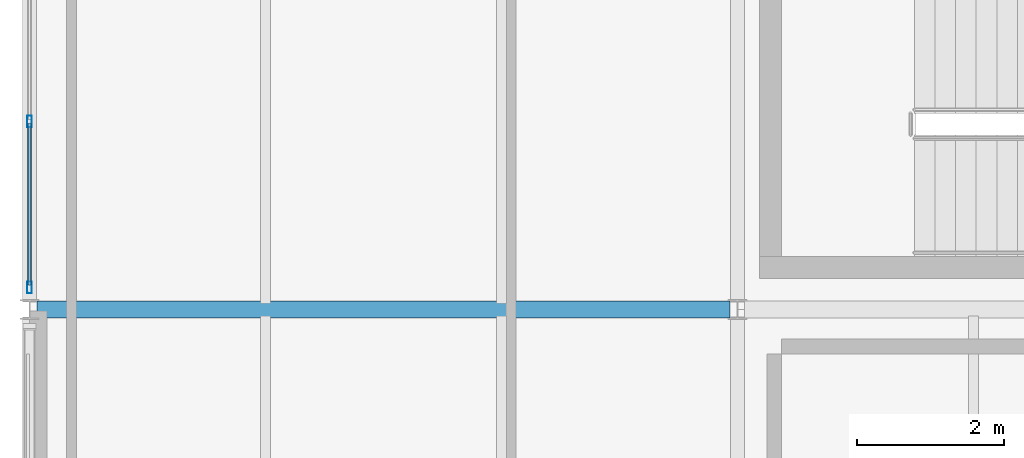
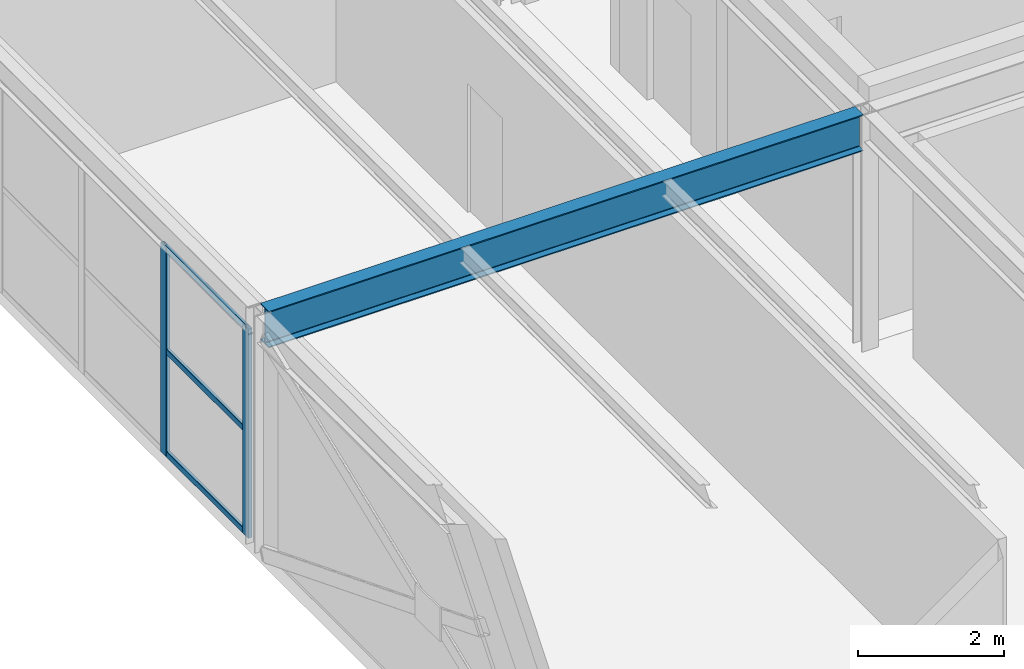
# One storey, part 14 of 39: 5 members, 1 beam, 1 element without a shape of its own.
"""IFC4 building model written with IfcOpenShell, lengths in metres."""

from ifc_helpers import new_model, si_unit, direction, frame, origin, origin_2d, place, context, subcontext, project, spatial, hollow_rectangle, i_section, extrude, material, material_profile, profile_set, type_object, element, aggregate, save


model = new_model("IFC4")

# Units and contexts
model_context = context("Model", 3, precision=1e-05, world=origin(), true_north=direction((0.0, 1.0)))
body_context = subcontext(model_context, "Body", "Model", "MODEL_VIEW")
ifc_project = project(units=[si_unit("LENGTHUNIT", "METRE"), si_unit("AREAUNIT", "SQUARE_METRE"), si_unit("VOLUMEUNIT", "CUBIC_METRE"), si_unit("PLANEANGLEUNIT", "RADIAN"), si_unit("MASSUNIT", "GRAM", prefix="KILO")], contexts=[model_context])

# Site, building, storey
site_placement = place(None, origin())
site = spatial("IfcSite", under=ifc_project, at=site_placement, CompositionType="ELEMENT")
building_placement = place(site_placement, origin())
building = spatial("IfcBuilding", under=site, at=building_placement, Name="Coralgate Yard Interchange", CompositionType="ELEMENT")
storey_placement = place(building_placement, frame((0.0, 0.0, 18.89990234375)))
storey = spatial("IfcBuildingStorey", under=building, at=storey_placement, Name="L04", CompositionType="ELEMENT", Elevation=18.89990234375)

# Beam
ifc_material_1 = material(Name="Structural steel S355J2", Category="steel")
ifc_material_profile_1 = material_profile(ifc_material_1, i_section(OverallWidth=0.228271484375, OverallDepth=0.607666015625, WebThickness=0.010986328125, FlangeThickness=0.017333984375, FilletRadius=0.0126953125, at=origin_2d()), Name="UB 610x229x113")
ifc_profile_set_1 = profile_set([ifc_material_profile_1], Name="Structural steel S355J2")
beam_type = type_object("IfcBeamType", Name="BM-SG-5", PredefinedType="BEAM", material=ifc_profile_set_1)
beam_placement = place(storey_placement, frame((0.099365234375, 28.800048828125, 3.646240234375), z_axis=(1.0, 0.0, 0.0), x_axis=(0.0, 1.0, 0.0)))
element("IfcBeam", 1, at=beam_placement, inside=storey, type_object=beam_type, Name="L04 primary grid beam Y3 X0-1", PredefinedType="BEAM", context=body_context, shape_type="SweptSolid", body=[
    extrude(i_section(OverallWidth=0.228271484375, OverallDepth=0.607666015625, WebThickness=0.010986328125, FlangeThickness=0.017333984375, FilletRadius=0.0126953125, at=origin_2d()), origin(), (0.0, 0.0, 1.0), 9.401123046875),
])

# Curtain wall, members
ifc_material_2 = material(Name="Anodised coastal aluminium and solar-control low-E glass", Category="aluminium")
curtain_wall_type = type_object("IfcCurtainWallType", Name="CW-CW-L04-A", PredefinedType="NOTDEFINED", material=ifc_material_2)
curtain_wall_placement = place(storey_placement, origin())
curtain_wall = element("IfcCurtainWall", 2, at=curtain_wall_placement, inside=storey, type_object=curtain_wall_type, Name="L04 unitised curtain wall CW-L04-W-00-03", PredefinedType="NOTDEFINED")
ifc_material_3 = material(Name="Anodised coastal aluminium 6063-T6", Category="aluminium")
ifc_material_profile_2 = material_profile(ifc_material_3, hollow_rectangle(XDim=0.06494140625, YDim=0.159912109375, WallThickness=0.00390625, InnerFilletRadius=0.00390625, OuterFilletRadius=0.008056640625, at=origin_2d()), Name="ALU 65x160x4")
ifc_profile_set_2 = profile_set([ifc_material_profile_2], Name="Anodised coastal aluminium 6063-T6")
member_type_1 = type_object("IfcMemberType", Name="MB-MUL-160", PredefinedType="MULLION", material=ifc_profile_set_2)
member_1_placement = place(storey_placement, frame((0.0, 29.10009765625, 0.0), z_axis=(0.0, 0.0, 1.0), x_axis=(1.0, 0.0, 0.0)))
member_1 = element("IfcMember", 3, at=member_1_placement, type_object=member_type_1, Name="CW-L04-W-00-03 vertical mullion 1", PredefinedType="MULLION", context=body_context, shape_type="SweptSolid", body=[
    extrude(hollow_rectangle(XDim=0.06494140625, YDim=0.159912109375, WallThickness=0.00390625, InnerFilletRadius=0.00390625, OuterFilletRadius=0.008056640625, at=origin_2d()), origin(), (0.0, 0.0, 1.0), 3.4931640625),
])
member_2_placement = place(storey_placement, frame((0.0, 31.35009765625, 0.0), z_axis=(0.0, 0.0, 1.0), x_axis=(1.0, 0.0, 0.0)))
member_2 = element("IfcMember", 4, at=member_2_placement, type_object=member_type_1, Name="CW-L04-W-00-03 vertical mullion 2", PredefinedType="MULLION", context=body_context, shape_type="SweptSolid", body=[
    extrude(hollow_rectangle(XDim=0.06494140625, YDim=0.159912109375, WallThickness=0.00390625, InnerFilletRadius=0.00390625, OuterFilletRadius=0.008056640625, at=origin_2d()), origin(), (0.0, 0.0, 1.0), 3.4931640625),
])
ifc_material_profile_3 = material_profile(ifc_material_3, hollow_rectangle(XDim=0.050048828125, YDim=0.10009765625, WallThickness=0.0029296875, InnerFilletRadius=0.0029296875, OuterFilletRadius=0.006103515625, at=origin_2d()), Name="ALU 50x100x3")
ifc_profile_set_3 = profile_set([ifc_material_profile_3], Name="Anodised coastal aluminium 6063-T6")
member_type_2 = type_object("IfcMemberType", Name="MB-TRN-100", PredefinedType="USERDEFINED", material=ifc_profile_set_3)
member_3_placement = place(storey_placement, frame((0.0, 29.1298828125, 0.03515625), z_axis=(0.0, 1.0, 0.0), x_axis=(-1.0, 0.0, 0.0)))
member_3 = element("IfcMember", 5, at=member_3_placement, type_object=member_type_2, Name="CW-L04-W-00-03 horizontal transom 1-1", ObjectType="TRANSOM", PredefinedType="USERDEFINED", context=body_context, shape_type="SweptSolid", body=[
    extrude(hollow_rectangle(XDim=0.050048828125, YDim=0.10009765625, WallThickness=0.0029296875, InnerFilletRadius=0.0029296875, OuterFilletRadius=0.006103515625, at=origin_2d()), origin(), (0.0, 0.0, 1.0), 2.190185546875),
])
member_4_placement = place(storey_placement, frame((0.0, 29.1298828125, 1.74658203125), z_axis=(0.0, 1.0, 0.0), x_axis=(-1.0, 0.0, 0.0)))
member_4 = element("IfcMember", 6, at=member_4_placement, type_object=member_type_2, Name="CW-L04-W-00-03 horizontal transom 1-2", ObjectType="TRANSOM", PredefinedType="USERDEFINED", context=body_context, shape_type="SweptSolid", body=[
    extrude(hollow_rectangle(XDim=0.050048828125, YDim=0.10009765625, WallThickness=0.0029296875, InnerFilletRadius=0.0029296875, OuterFilletRadius=0.006103515625, at=origin_2d()), origin(), (0.0, 0.0, 1.0), 2.190185546875),
])
member_5_placement = place(storey_placement, frame((0.0, 29.1298828125, 3.4580078125), z_axis=(0.0, 1.0, 0.0), x_axis=(-1.0, 0.0, 0.0)))
member_5 = element("IfcMember", 7, at=member_5_placement, type_object=member_type_2, Name="CW-L04-W-00-03 horizontal transom 1-3", ObjectType="TRANSOM", PredefinedType="USERDEFINED", context=body_context, shape_type="SweptSolid", body=[
    extrude(hollow_rectangle(XDim=0.050048828125, YDim=0.10009765625, WallThickness=0.0029296875, InnerFilletRadius=0.0029296875, OuterFilletRadius=0.006103515625, at=origin_2d()), origin(), (0.0, 0.0, 1.0), 2.190185546875),
])
aggregate(curtain_wall, [member_1, member_2, member_3, member_4, member_5])

save(model, "model.ifc")
